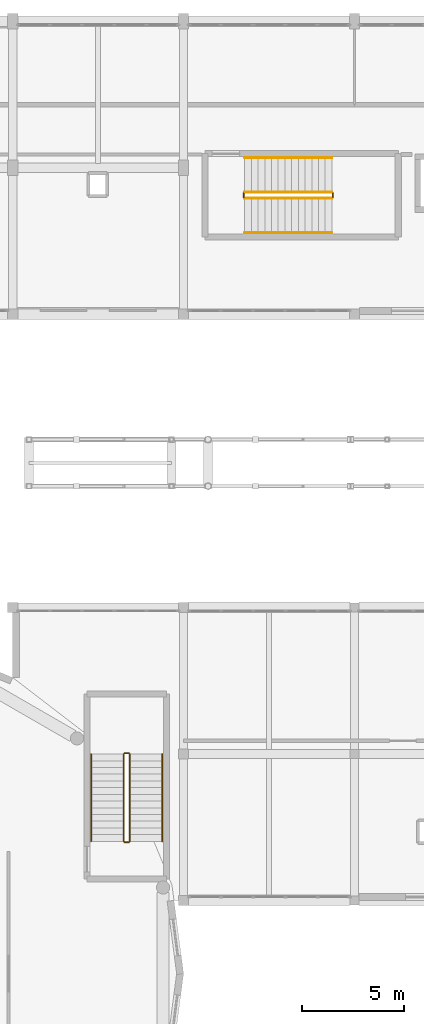
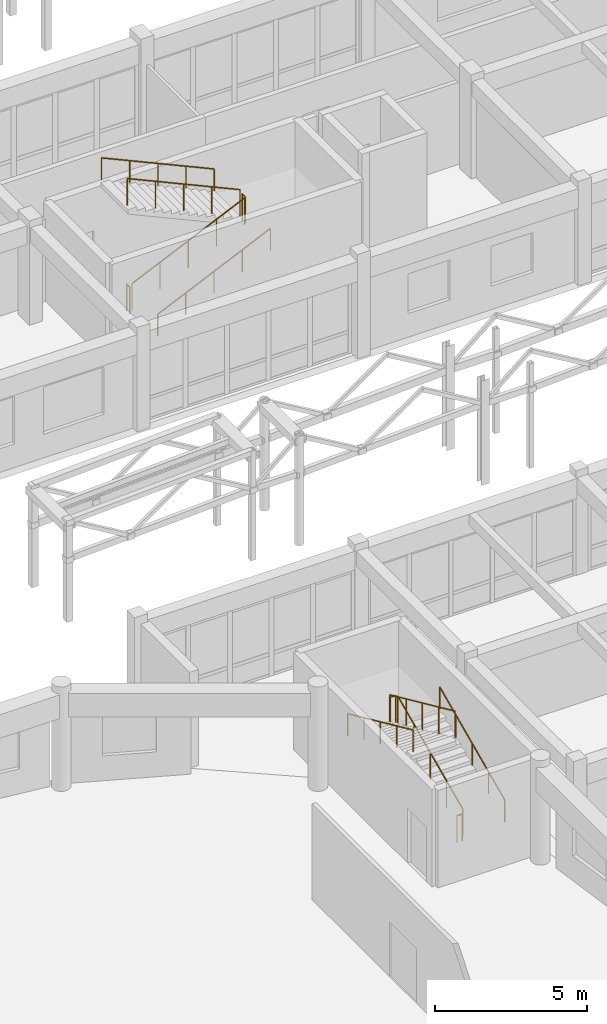
# One storey, part 140 of 147: 12 railings.
"""IFC4 building model written with IfcOpenShell, lengths in metres."""

from ifc_helpers import new_model, si_unit, direction, frame, origin, origin_2d, place, context, subcontext, project, spatial, circle, extrude, material, layer, layer_set, type_object, element, save


model = new_model("IFC4")

# Units and contexts
model_context = context("Model", 3, precision=1e-05, world=origin(), true_north=direction((0.0, 1.0)))
body_context = subcontext(model_context, "Body", "Model", "MODEL_VIEW")
ifc_project = project(units=[si_unit("LENGTHUNIT", "METRE"), si_unit("AREAUNIT", "SQUARE_METRE"), si_unit("VOLUMEUNIT", "CUBIC_METRE"), si_unit("PLANEANGLEUNIT", "RADIAN"), si_unit("MASSUNIT", "GRAM", prefix="KILO")], contexts=[model_context])

# Site, building, storey
site_placement = place(None, origin())
site = spatial("IfcSite", under=ifc_project, at=site_placement, CompositionType="ELEMENT")
building_placement = place(site_placement, origin())
building = spatial("IfcBuilding", under=site, at=building_placement, Name="Malvenik Polytechnic", CompositionType="ELEMENT")
storey_placement = place(building_placement, frame((0.0, 0.0, 5.10009765625)))
storey = spatial("IfcBuildingStorey", under=building, at=storey_placement, Name="L01", CompositionType="ELEMENT", Elevation=5.10009765625)

# Railings
ifc_material_1 = material(Name="Painted galvanised steel stair well balustrade 1100mm", Category="steel")
ifc_layer_1 = layer(ifc_material_1, 0.050048828125)
ifc_layer_set_1 = layer_set([ifc_layer_1], Name="Painted galvanised steel stair well balustrade 1100mm")
railing_type_1 = type_object("IfcRailingType", Name="ARC-RL-STGD", PredefinedType="BALUSTRADE", material=ifc_layer_set_1)
railing_1_placement = place(storey_placement, frame((36.60009765625, 56.10009765625, 0.14990234375)))
element("IfcRailing", 1, at=railing_1_placement, inside=storey, type_object=railing_type_1, Name="L01 ST-06 stair guard 1", PredefinedType="BALUSTRADE", context=body_context, shape_type="SweptSolid", body=[
    extrude(circle(Radius=0.02392578125, at=origin_2d()), frame((0.0, 0.0, 1.076171875), z_axis=(0.910362928762, 0.0, 0.413810751353), x_axis=(0.0, 1.0, 0.0)), (0.0, 0.0, 1.0), 4.712158203125),
    extrude(circle(Radius=0.02099609375, at=origin_2d()), origin(), (0.0, 0.0, 1.0), 1.052001953125),
    extrude(circle(Radius=0.02099609375, at=origin_2d()), frame((1.072509765625, 0.0, 0.487548828125)), (0.0, 0.0, 1.0), 1.052001953125),
    extrude(circle(Radius=0.02099609375, at=origin_2d()), frame((2.14501953125, 0.0, 0.97509765625)), (0.0, 0.0, 1.0), 1.052001953125),
    extrude(circle(Radius=0.02099609375, at=origin_2d()), frame((3.21728515625, 0.0, 1.46240234375)), (0.0, 0.0, 1.0), 1.052001953125),
    extrude(circle(Radius=0.02099609375, at=origin_2d()), frame((4.289794921875, 0.0, 1.949951171875)), (0.0, 0.0, 1.0), 1.052001953125),
])
railing_2_placement = place(storey_placement, frame((40.93994140625, 56.14990234375, 2.099853515625)))
element("IfcRailing", 2, at=railing_2_placement, inside=storey, type_object=railing_type_1, Name="L01 ST-06 stair guard 2", PredefinedType="BALUSTRADE", context=body_context, shape_type="SweptSolid", body=[
    extrude(circle(Radius=0.02392578125, at=origin_2d()), frame((0.0, 0.0, 1.076171875), z_axis=(0.0, 1.0, 0.0), x_axis=(-1.0, 0.0, 0.0)), (0.0, 0.0, 1.0), 0.2001953125),
    extrude(circle(Radius=0.02099609375, at=origin_2d()), origin(), (0.0, 0.0, 1.0), 1.052001953125),
    extrude(circle(Radius=0.02099609375, at=origin_2d()), frame((0.0, 0.2001953125, 0.0)), (0.0, 0.0, 1.0), 1.052001953125),
])
railing_3_placement = place(storey_placement, frame((40.889892578125, 56.39990234375, 2.25)))
element("IfcRailing", 3, at=railing_3_placement, inside=storey, type_object=railing_type_1, Name="L01 ST-06 stair guard 3", PredefinedType="BALUSTRADE", context=body_context, shape_type="SweptSolid", body=[
    extrude(circle(Radius=0.02392578125, at=origin_2d()), frame((0.0, 0.0, 1.076171875), z_axis=(-0.910362928762, 0.0, 0.413810751353), x_axis=(0.0, -1.0, 0.0)), (0.0, 0.0, 1.0), 4.712158203125),
    extrude(circle(Radius=0.02099609375, at=origin_2d()), origin(), (0.0, 0.0, 1.0), 1.052001953125),
    extrude(circle(Radius=0.02099609375, at=origin_2d()), frame((-1.072509765625, 0.0, 0.487548828125)), (0.0, 0.0, 1.0), 1.052001953125),
    extrude(circle(Radius=0.02099609375, at=origin_2d()), frame((-2.14501953125, 0.0, 0.97509765625)), (0.0, 0.0, 1.0), 1.052001953125),
    extrude(circle(Radius=0.02099609375, at=origin_2d()), frame((-3.21728515625, 0.0, 1.46240234375)), (0.0, 0.0, 1.0), 1.052001953125),
    extrude(circle(Radius=0.02099609375, at=origin_2d()), frame((-4.289794921875, 0.0, 1.949951171875)), (0.0, 0.0, 1.0), 1.052001953125),
])
railing_4_placement = place(storey_placement, frame((36.550048828125, 56.14990234375, 0.0)))
element("IfcRailing", 4, at=railing_4_placement, inside=storey, type_object=railing_type_1, Name="L01 ST-06 stair guard 4", PredefinedType="BALUSTRADE", context=body_context, shape_type="SweptSolid", body=[
    extrude(circle(Radius=0.02392578125, at=origin_2d()), frame((0.0, 0.0, 1.076171875), z_axis=(0.0, 1.0, 0.0), x_axis=(-1.0, 0.0, 0.0)), (0.0, 0.0, 1.0), 0.2001953125),
    extrude(circle(Radius=0.02099609375, at=origin_2d()), origin(), (0.0, 0.0, 1.0), 1.052001953125),
    extrude(circle(Radius=0.02099609375, at=origin_2d()), frame((0.0, 0.2001953125, 0.0)), (0.0, 0.0, 1.0), 1.052001953125),
])
railing_5_placement = place(storey_placement, frame((30.949951171875, 24.5, 0.14990234375)))
element("IfcRailing", 5, at=railing_5_placement, inside=storey, type_object=railing_type_1, Name="L01 ST-09 stair guard 1", PredefinedType="BALUSTRADE", context=body_context, shape_type="SweptSolid", body=[
    extrude(circle(Radius=0.02392578125, at=origin_2d()), frame((0.0, 0.0, 1.076171875), z_axis=(0.0, 0.910371800137, 0.413791234219), x_axis=(-1.0, 0.0, 0.0)), (0.0, 0.0, 1.0), 4.71240234375),
    extrude(circle(Radius=0.02099609375, at=origin_2d()), origin(), (0.0, 0.0, 1.0), 1.052001953125),
    extrude(circle(Radius=0.02099609375, at=origin_2d()), frame((0.0, 1.072509765625, 0.487548828125)), (0.0, 0.0, 1.0), 1.052001953125),
    extrude(circle(Radius=0.02099609375, at=origin_2d()), frame((0.0, 2.14501953125, 0.97509765625)), (0.0, 0.0, 1.0), 1.052001953125),
    extrude(circle(Radius=0.02099609375, at=origin_2d()), frame((0.0, 3.217529296875, 1.46240234375)), (0.0, 0.0, 1.0), 1.052001953125),
    extrude(circle(Radius=0.02099609375, at=origin_2d()), frame((0.0, 4.2900390625, 1.949951171875)), (0.0, 0.0, 1.0), 1.052001953125),
])
railing_6_placement = place(storey_placement, frame((30.89990234375, 28.840087890625, 2.099853515625)))
element("IfcRailing", 6, at=railing_6_placement, inside=storey, type_object=railing_type_1, Name="L01 ST-09 stair guard 2", PredefinedType="BALUSTRADE", context=body_context, shape_type="SweptSolid", body=[
    extrude(circle(Radius=0.02392578125, at=origin_2d()), frame((0.0, 0.0, 1.076171875), z_axis=(-1.0, 0.0, 0.0), x_axis=(0.0, -1.0, 0.0)), (0.0, 0.0, 1.0), 0.199951171875),
    extrude(circle(Radius=0.02099609375, at=origin_2d()), origin(), (0.0, 0.0, 1.0), 1.052001953125),
    extrude(circle(Radius=0.02099609375, at=origin_2d()), frame((-0.199951171875, 0.0, 0.0)), (0.0, 0.0, 1.0), 1.052001953125),
])
railing_7_placement = place(storey_placement, frame((30.64990234375, 28.7900390625, 2.25)))
element("IfcRailing", 7, at=railing_7_placement, inside=storey, type_object=railing_type_1, Name="L01 ST-09 stair guard 3", PredefinedType="BALUSTRADE", context=body_context, shape_type="SweptSolid", body=[
    extrude(circle(Radius=0.02392578125, at=origin_2d()), frame((0.0, 0.0, 1.076171875), z_axis=(0.0, -0.910371800137, 0.413791234219), x_axis=(1.0, 0.0, 0.0)), (0.0, 0.0, 1.0), 4.71240234375),
    extrude(circle(Radius=0.02099609375, at=origin_2d()), origin(), (0.0, 0.0, 1.0), 1.052001953125),
    extrude(circle(Radius=0.02099609375, at=origin_2d()), frame((0.0, -1.072509765625, 0.487548828125)), (0.0, 0.0, 1.0), 1.052001953125),
    extrude(circle(Radius=0.02099609375, at=origin_2d()), frame((0.0, -2.14501953125, 0.97509765625)), (0.0, 0.0, 1.0), 1.052001953125),
    extrude(circle(Radius=0.02099609375, at=origin_2d()), frame((0.0, -3.217529296875, 1.46240234375)), (0.0, 0.0, 1.0), 1.052001953125),
    extrude(circle(Radius=0.02099609375, at=origin_2d()), frame((0.0, -4.2900390625, 1.949951171875)), (0.0, 0.0, 1.0), 1.052001953125),
])
railing_8_placement = place(storey_placement, frame((30.89990234375, 24.449951171875, 0.0)))
element("IfcRailing", 8, at=railing_8_placement, inside=storey, type_object=railing_type_1, Name="L01 ST-09 stair guard 4", PredefinedType="BALUSTRADE", context=body_context, shape_type="SweptSolid", body=[
    extrude(circle(Radius=0.02392578125, at=origin_2d()), frame((0.0, 0.0, 1.076171875), z_axis=(-1.0, 0.0, 0.0), x_axis=(0.0, -1.0, 0.0)), (0.0, 0.0, 1.0), 0.199951171875),
    extrude(circle(Radius=0.02099609375, at=origin_2d()), origin(), (0.0, 0.0, 1.0), 1.052001953125),
    extrude(circle(Radius=0.02099609375, at=origin_2d()), frame((-0.199951171875, 0.0, 0.0)), (0.0, 0.0, 1.0), 1.052001953125),
])
ifc_material_2 = material(Name="Brushed stainless steel 1.4301 stair wall handrail", Category="steel")
ifc_layer_2 = layer(ifc_material_2, 0.044921875)
ifc_layer_set_2 = layer_set([ifc_layer_2], Name="Brushed stainless steel 1.4301 stair wall handrail")
railing_type_2 = type_object("IfcRailingType", Name="ARC-RL-STHR", PredefinedType="HANDRAIL", material=ifc_layer_set_2)
railing_9_placement = place(storey_placement, frame((36.60009765625, 54.39990234375, 0.14990234375)))
element("IfcRailing", 9, at=railing_9_placement, inside=storey, type_object=railing_type_2, Name="L01 ST-06 stair handrail 1", PredefinedType="HANDRAIL", context=body_context, shape_type="SweptSolid", body=[
    extrude(circle(Radius=0.02392578125, at=origin_2d()), frame((0.0, 0.0, 0.8759765625), z_axis=(0.910362928762, 0.0, 0.413810751353), x_axis=(0.0, 1.0, 0.0)), (0.0, 0.0, 1.0), 4.712158203125),
    extrude(circle(Radius=0.02099609375, at=origin_2d()), origin(), (0.0, 0.0, 1.0), 0.851806640625),
    extrude(circle(Radius=0.02099609375, at=origin_2d()), frame((1.072509765625, 0.0, 0.487548828125)), (0.0, 0.0, 1.0), 0.851806640625),
    extrude(circle(Radius=0.02099609375, at=origin_2d()), frame((2.14501953125, 0.0, 0.97509765625)), (0.0, 0.0, 1.0), 0.851806640625),
    extrude(circle(Radius=0.02099609375, at=origin_2d()), frame((3.21728515625, 0.0, 1.46240234375)), (0.0, 0.0, 1.0), 0.851806640625),
    extrude(circle(Radius=0.02099609375, at=origin_2d()), frame((4.289794921875, 0.0, 1.949951171875)), (0.0, 0.0, 1.0), 0.851806640625),
])
railing_10_placement = place(storey_placement, frame((40.889892578125, 58.10009765625, 2.25)))
element("IfcRailing", 10, at=railing_10_placement, inside=storey, type_object=railing_type_2, Name="L01 ST-06 stair handrail 2", PredefinedType="HANDRAIL", context=body_context, shape_type="SweptSolid", body=[
    extrude(circle(Radius=0.02392578125, at=origin_2d()), frame((0.0, 0.0, 0.8759765625), z_axis=(-0.910362928762, 0.0, 0.413810751353), x_axis=(0.0, -1.0, 0.0)), (0.0, 0.0, 1.0), 4.712158203125),
    extrude(circle(Radius=0.02099609375, at=origin_2d()), origin(), (0.0, 0.0, 1.0), 0.851806640625),
    extrude(circle(Radius=0.02099609375, at=origin_2d()), frame((-1.072509765625, 0.0, 0.487548828125)), (0.0, 0.0, 1.0), 0.851806640625),
    extrude(circle(Radius=0.02099609375, at=origin_2d()), frame((-2.14501953125, 0.0, 0.97509765625)), (0.0, 0.0, 1.0), 0.851806640625),
    extrude(circle(Radius=0.02099609375, at=origin_2d()), frame((-3.21728515625, 0.0, 1.46240234375)), (0.0, 0.0, 1.0), 0.851806640625),
    extrude(circle(Radius=0.02099609375, at=origin_2d()), frame((-4.289794921875, 0.0, 1.949951171875)), (0.0, 0.0, 1.0), 0.851806640625),
])
railing_11_placement = place(storey_placement, frame((32.550048828125, 24.5, 0.14990234375)))
element("IfcRailing", 11, at=railing_11_placement, inside=storey, type_object=railing_type_2, Name="L01 ST-09 stair handrail 1", PredefinedType="HANDRAIL", context=body_context, shape_type="SweptSolid", body=[
    extrude(circle(Radius=0.02392578125, at=origin_2d()), frame((0.0, 0.0, 0.8759765625), z_axis=(0.0, 0.910371800137, 0.413791234219), x_axis=(-1.0, 0.0, 0.0)), (0.0, 0.0, 1.0), 4.71240234375),
    extrude(circle(Radius=0.02099609375, at=origin_2d()), origin(), (0.0, 0.0, 1.0), 0.851806640625),
    extrude(circle(Radius=0.02099609375, at=origin_2d()), frame((0.0, 1.072509765625, 0.487548828125)), (0.0, 0.0, 1.0), 0.851806640625),
    extrude(circle(Radius=0.02099609375, at=origin_2d()), frame((0.0, 2.14501953125, 0.97509765625)), (0.0, 0.0, 1.0), 0.851806640625),
    extrude(circle(Radius=0.02099609375, at=origin_2d()), frame((0.0, 3.217529296875, 1.46240234375)), (0.0, 0.0, 1.0), 0.851806640625),
    extrude(circle(Radius=0.02099609375, at=origin_2d()), frame((0.0, 4.2900390625, 1.949951171875)), (0.0, 0.0, 1.0), 0.851806640625),
])
railing_12_placement = place(storey_placement, frame((29.050048828125, 28.7900390625, 2.25)))
element("IfcRailing", 12, at=railing_12_placement, inside=storey, type_object=railing_type_2, Name="L01 ST-09 stair handrail 2", PredefinedType="HANDRAIL", context=body_context, shape_type="SweptSolid", body=[
    extrude(circle(Radius=0.02392578125, at=origin_2d()), frame((0.0, 0.0, 0.8759765625), z_axis=(0.0, -0.910371800137, 0.413791234219), x_axis=(1.0, 0.0, 0.0)), (0.0, 0.0, 1.0), 4.71240234375),
    extrude(circle(Radius=0.02099609375, at=origin_2d()), origin(), (0.0, 0.0, 1.0), 0.851806640625),
    extrude(circle(Radius=0.02099609375, at=origin_2d()), frame((0.0, -1.072509765625, 0.487548828125)), (0.0, 0.0, 1.0), 0.851806640625),
    extrude(circle(Radius=0.02099609375, at=origin_2d()), frame((0.0, -2.14501953125, 0.97509765625)), (0.0, 0.0, 1.0), 0.851806640625),
    extrude(circle(Radius=0.02099609375, at=origin_2d()), frame((0.0, -3.217529296875, 1.46240234375)), (0.0, 0.0, 1.0), 0.851806640625),
    extrude(circle(Radius=0.02099609375, at=origin_2d()), frame((0.0, -4.2900390625, 1.949951171875)), (0.0, 0.0, 1.0), 0.851806640625),
])

save(model, "model.ifc")
